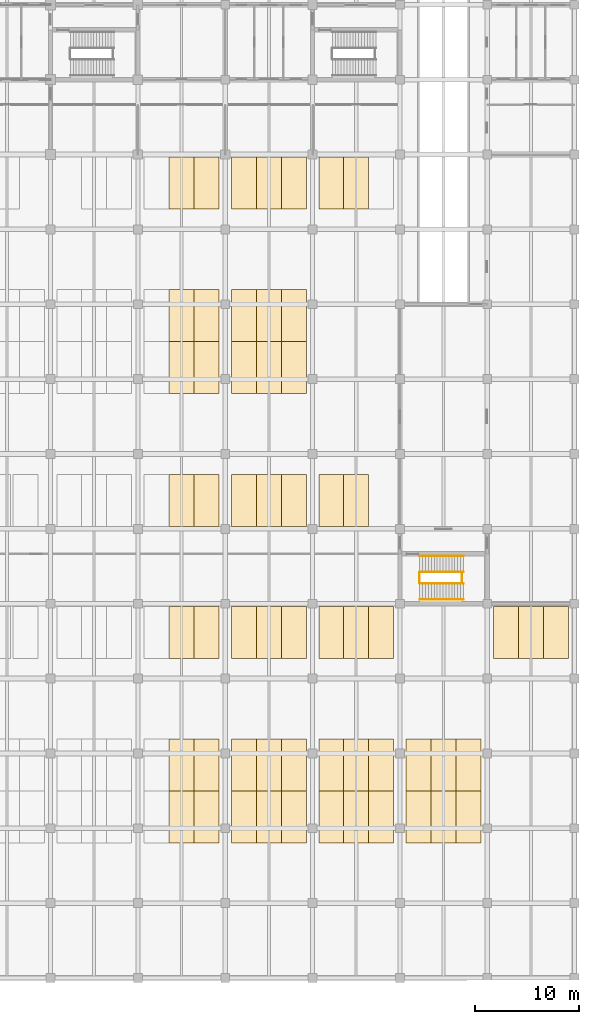
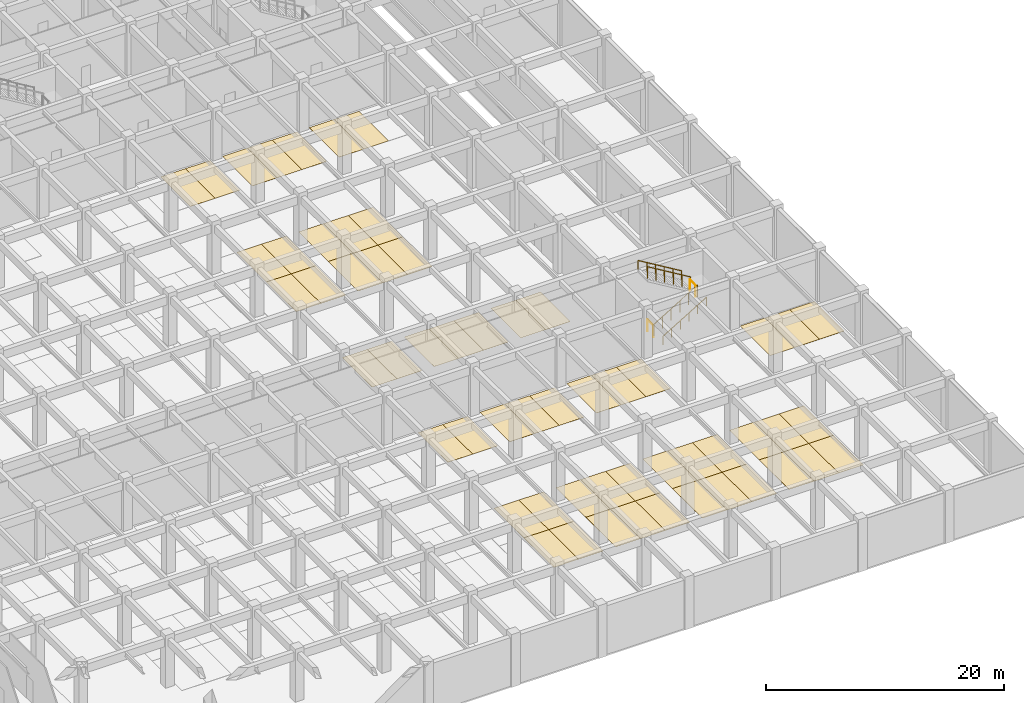
# One storey, part 46 of 48: 57 coverings, 6 railings.
"""IFC4 building model written with IfcOpenShell, lengths in metres."""

import ifcopenshell
import ifcopenshell.guid

model = None  # the IFC model being written
_history = None  # IfcOwnerHistory: only IFC2X3 demands one
_inside = {}  # id of a spatial element -> (the spatial element, [elements in it])
_under = {}  # id of a project, library or spatial element -> (it, [spatial elements below it])
_declared = {}  # id of a project -> (the project, [libraries it declares])
_typed = {}  # id of a type object -> (the type object, [elements of that type])
_made_of = {}  # id of a material, layer set ... -> (it, [elements and type objects made of it])


def new_model(schema):
    """Start an empty IFC model of exactly this schema.

    Asked for "IFC4X3", IfcOpenShell would pick the latest addendum, in which some entities
    have other attributes; the version numbers below select the first issue.
    IFC2X3 requires an IfcOwnerHistory on every rooted entity: one is made here for all.
    """
    global model, _history
    if schema == "IFC4X3":
        model = ifcopenshell.file(schema_version=(4, 3, 0, 0))
    else:
        model = ifcopenshell.file(schema=schema)
    _inside.clear()
    _under.clear()
    _declared.clear()
    _typed.clear()
    _made_of.clear()
    _history = None
    if model.schema == "IFC2X3":
        org = make("IfcOrganization", Name="unknown")
        user = make(
            "IfcPersonAndOrganization",
            ThePerson=make("IfcPerson", FamilyName="unknown"),
            TheOrganization=org,
        )
        app = make(
            "IfcApplication",
            ApplicationDeveloper=org,
            Version="unknown",
            ApplicationFullName="unknown",
            ApplicationIdentifier="unknown",
        )
        _history = make(
            "IfcOwnerHistory",
            OwningUser=user,
            OwningApplication=app,
            ChangeAction="ADDED",
            CreationDate=0,
        )
    return model


def make(cls, **values):
    """One entity of the class cls with the attributes given. An attribute that is None is left unset."""
    return model.create_entity(
        cls, **{name: value for name, value in values.items() if value is not None}
    )


def rooted(cls, **values):
    """An entity with a GlobalId (a new one), such as an element, a storey or a relation."""
    return make(cls, GlobalId=ifcopenshell.guid.new(), OwnerHistory=_history, **values)


def si_unit(unit_type, name, prefix=None):
    """IfcSIUnit, for example si_unit("LENGTHUNIT", "METRE", prefix="MILLI")."""
    return make("IfcSIUnit", UnitType=unit_type, Prefix=prefix, Name=name)


def assignment(units):
    """IfcUnitAssignment: the units of a project."""
    return None if units is None else make("IfcUnitAssignment", Units=units)


def point(xyz):
    """IfcCartesianPoint."""
    return None if xyz is None else make("IfcCartesianPoint", Coordinates=xyz)


def direction(xyz):
    """IfcDirection."""
    return None if xyz is None else make("IfcDirection", DirectionRatios=xyz)


def frame(location, z_axis=None, x_axis=None):
    """IfcAxis2Placement3D, a coordinate frame: its origin and axes. An axis left out is left unset."""
    return make(
        "IfcAxis2Placement3D",
        Location=point(location),
        Axis=direction(z_axis),
        RefDirection=direction(x_axis),
    )


def frame_2d(location, x_axis=None):
    """IfcAxis2Placement2D, a coordinate frame in the plane: its origin and x axis."""
    return make(
        "IfcAxis2Placement2D", Location=point(location), RefDirection=direction(x_axis)
    )


def origin():
    """The frame at (0, 0, 0) with its axes left unset."""
    return frame((0.0, 0.0, 0.0))


def origin_2d():
    """The frame at (0, 0) in the plane with its x axis left unset."""
    return frame_2d((0.0, 0.0))


def place(relative_to, where):
    """IfcLocalPlacement: puts the frame where relative to a parent placement (None: the world)."""
    return make(
        "IfcLocalPlacement", PlacementRelTo=relative_to, RelativePlacement=where
    )


def context(
    kind, dimensions, precision=None, world=None, true_north=None, identifier=None
):
    """IfcGeometricRepresentationContext, for example the 3D "Model" context."""
    return make(
        "IfcGeometricRepresentationContext",
        ContextIdentifier=identifier,
        ContextType=kind,
        CoordinateSpaceDimension=dimensions,
        Precision=precision,
        WorldCoordinateSystem=world,
        TrueNorth=true_north,
    )


def subcontext(parent, identifier, kind, view, scale=None):
    """IfcGeometricRepresentationSubContext, for example "Body" below "Model"."""
    return make(
        "IfcGeometricRepresentationSubContext",
        ContextIdentifier=identifier,
        ContextType=kind,
        ParentContext=parent,
        TargetScale=scale,
        TargetView=view,
    )


def project(units=None, contexts=None):
    """IfcProject with its units and contexts."""
    return rooted(
        "IfcProject",
        Name="project",
        RepresentationContexts=contexts,
        UnitsInContext=assignment(units),
    )


def spatial(cls, under=None, at=None, **own):
    """A site, building, storey or space (cls), placed at a placement, below another one or the project."""
    s = rooted(cls, ObjectPlacement=at, **own)
    if under is not None:
        _under.setdefault(under.id(), (under, []))[1].append(s)
    return s


def polyline(points):
    """IfcPolyline through the points."""
    return make("IfcPolyline", Points=[point(p) for p in points])


def profile(cls, at=None, kind="AREA", **sizes):
    """A parametric profile (cls). Its sizes go by their IFC names, for example OverallWidth=200.0."""
    return make(cls, ProfileType=kind, Position=at, **sizes)


def circle(**sizes):
    """IfcCircleProfileDef."""
    return profile("IfcCircleProfileDef", **sizes)


def outline(outer, holes=None, kind="AREA"):
    """IfcArbitraryClosedProfileDef: a profile drawn as a closed curve; with holes, ...WithVoids."""
    if holes is None:
        return make("IfcArbitraryClosedProfileDef", ProfileType=kind, OuterCurve=outer)
    return make(
        "IfcArbitraryProfileDefWithVoids",
        ProfileType=kind,
        OuterCurve=outer,
        InnerCurves=holes,
    )


def extrude(swept, where, along, depth):
    """IfcExtrudedAreaSolid: the profile swept, set in the frame where, extruded along a direction by depth."""
    return make(
        "IfcExtrudedAreaSolid",
        SweptArea=swept,
        Position=where,
        ExtrudedDirection=direction(along),
        Depth=depth,
    )


def shape(context_of_items, identifier, shape_type, items):
    """IfcShapeRepresentation: the items that make up one representation, for example the "Body"."""
    return make(
        "IfcShapeRepresentation",
        ContextOfItems=context_of_items,
        RepresentationIdentifier=identifier,
        RepresentationType=shape_type,
        Items=items,
    )


def material(Name=None, Category=None):
    """IfcMaterial."""
    return make("IfcMaterial", Name=Name, Category=Category)


def layer(
    of_material, thickness, ventilated=None, Name=None, Category=None, Priority=None
):
    """IfcMaterialLayer: one layer of a wall or slab, of a material (None: an air gap)."""
    return make(
        "IfcMaterialLayer",
        Material=of_material,
        LayerThickness=thickness,
        IsVentilated=ventilated,
        Name=Name,
        Category=Category,
        Priority=Priority,
    )


def layer_set(layers, Name=None):
    """IfcMaterialLayerSet."""
    return make("IfcMaterialLayerSet", MaterialLayers=layers, LayerSetName=Name)


def made_of(thing, what):
    """Note that an element or type object is made of a material, layer set ...; save() writes the relation."""
    if what is not None:
        _made_of.setdefault(what.id(), (what, []))[1].append(thing)
    return thing


def type_object(cls, material=None, **own):
    """A type object (cls), such as IfcWallType, which elements share."""
    return made_of(rooted(cls, **own), material)


def element(
    cls,
    number,
    at=None,
    inside=None,
    cuts=None,
    type_object=None,
    material=None,
    context=None,
    identifier="Body",
    shape_type=None,
    held_by="IfcProductDefinitionShape",
    body=None,
    shapes=None,
    **own,
):
    """One element of the class cls, such as IfcWall. Its Tag is "e" and its number.

    at: its placement. inside: the storey or other place that contains it. cuts: it is an
    opening in that element (IfcRelVoidsElement). A single representation is given by context,
    identifier, shape_type and body (its items); several are given by shapes. held_by: the class
    of the entity that holds the representations. save() writes the other relations.
    """
    e = rooted(cls, Tag="e%d" % number, ObjectPlacement=at, **own)
    if body is not None:
        shapes = [shape(context, identifier, shape_type, body)]
    if shapes is not None:
        e.Representation = make(held_by, Representations=shapes)
    if inside is not None:
        _inside.setdefault(inside.id(), (inside, []))[1].append(e)
    if cuts is not None:
        rooted(
            "IfcRelVoidsElement", RelatingBuildingElement=cuts, RelatedOpeningElement=e
        )
    if type_object is not None:
        _typed.setdefault(type_object.id(), (type_object, []))[1].append(e)
    return made_of(e, material)


def aggregate(whole, parts):
    """IfcRelAggregates: a whole, such as a stair, and the parts it consists of."""
    return rooted("IfcRelAggregates", RelatingObject=whole, RelatedObjects=parts)


def save(model, path):
    """Write the relations noted so far, then the file.

    IfcRelAggregates (storeys below a building ...), IfcRelContainedInSpatialStructure (elements
    in a storey), IfcRelDefinesByType, IfcRelAssociatesMaterial and IfcRelDeclares: one each for
    every whole, place, type object, material and project.
    """
    for whole, parts in _under.values():
        aggregate(whole, parts)
    for where, things in _inside.values():
        rooted(
            "IfcRelContainedInSpatialStructure",
            RelatedElements=things,
            RelatingStructure=where,
        )
    for kind, things in _typed.values():
        rooted("IfcRelDefinesByType", RelatedObjects=things, RelatingType=kind)
    for what, things in _made_of.values():
        rooted("IfcRelAssociatesMaterial", RelatedObjects=things, RelatingMaterial=what)
    for by, libraries in _declared.values():
        rooted("IfcRelDeclares", RelatingContext=by, RelatedDefinitions=libraries)
    model.write(path)


model = new_model("IFC4")

# Units and contexts
model_context = context("Model", 3, precision=1e-05, world=origin(), true_north=direction((0.0, 1.0)))
body_context = subcontext(model_context, "Body", "Model", "MODEL_VIEW")
ifc_project = project(units=[si_unit("LENGTHUNIT", "METRE"), si_unit("AREAUNIT", "SQUARE_METRE"), si_unit("VOLUMEUNIT", "CUBIC_METRE"), si_unit("PLANEANGLEUNIT", "RADIAN"), si_unit("MASSUNIT", "GRAM", prefix="KILO")], contexts=[model_context])

# Site, building, storey
site_placement = place(None, origin())
site = spatial("IfcSite", under=ifc_project, at=site_placement, CompositionType="ELEMENT")
building_placement = place(site_placement, origin())
building = spatial("IfcBuilding", under=site, at=building_placement, Name="Chengyuan Square Courthouse", CompositionType="ELEMENT")
storey_placement = place(building_placement, frame((0.0, 0.0, -5.39990234375)))
storey = spatial("IfcBuildingStorey", under=building, at=storey_placement, Name="B01", CompositionType="ELEMENT", Elevation=-5.39990234375)

# Coverings
ifc_material_1 = material(Name="Thermoplastic Parking Bay Marking Paint")
ifc_layer = layer(ifc_material_1, 0.010009765625)
ifc_layer_set = layer_set([ifc_layer], Name="Thermoplastic Parking Bay Marking Paint")
covering_type = type_object("IfcCoveringType", Name="PKB-01", PredefinedType="FLOORING", material=ifc_layer_set)
covering_1_placement = place(storey_placement, origin())
element("IfcCovering", 1, at=covering_1_placement, inside=storey, type_object=covering_type, Name="Parking Bay Marking B01-P071", PredefinedType="FLOORING", context=body_context, shape_type="SweptSolid", body=[
    extrude(outline(polyline([(129.0, 30.75), (131.39990234375, 30.75), (131.39990234375, 35.75), (129.0, 35.75), (129.0, 30.75)])), origin(), (0.0, 0.0, 1.0), 0.010009765625),
])
covering_2_placement = place(storey_placement, origin())
element("IfcCovering", 2, at=covering_2_placement, inside=storey, type_object=covering_type, Name="Parking Bay Marking B01-P072", PredefinedType="FLOORING", context=body_context, shape_type="SweptSolid", body=[
    extrude(outline(polyline([(131.39990234375, 30.75), (133.800048828125, 30.75), (133.800048828125, 35.75), (131.39990234375, 35.75), (131.39990234375, 30.75)])), origin(), (0.0, 0.0, 1.0), 0.010009765625),
])
covering_3_placement = place(storey_placement, origin())
element("IfcCovering", 3, at=covering_3_placement, inside=storey, type_object=covering_type, Name="Parking Bay Marking B01-P073", PredefinedType="FLOORING", context=body_context, shape_type="SweptSolid", body=[
    extrude(outline(polyline([(135.0, 30.75), (137.39990234375, 30.75), (137.39990234375, 35.75), (135.0, 35.75), (135.0, 30.75)])), origin(), (0.0, 0.0, 1.0), 0.010009765625),
])
covering_4_placement = place(storey_placement, origin())
element("IfcCovering", 4, at=covering_4_placement, inside=storey, type_object=covering_type, Name="Parking Bay Marking B01-P074", PredefinedType="FLOORING", context=body_context, shape_type="SweptSolid", body=[
    extrude(outline(polyline([(137.39990234375, 30.75), (139.800048828125, 30.75), (139.800048828125, 35.75), (137.39990234375, 35.75), (137.39990234375, 30.75)])), origin(), (0.0, 0.0, 1.0), 0.010009765625),
])
covering_5_placement = place(storey_placement, origin())
element("IfcCovering", 5, at=covering_5_placement, inside=storey, type_object=covering_type, Name="Parking Bay Marking B01-P075", PredefinedType="FLOORING", context=body_context, shape_type="SweptSolid", body=[
    extrude(outline(polyline([(139.800048828125, 30.75), (142.199951171875, 30.75), (142.199951171875, 35.75), (139.800048828125, 35.75), (139.800048828125, 30.75)])), origin(), (0.0, 0.0, 1.0), 0.010009765625),
])
covering_6_placement = place(storey_placement, origin())
element("IfcCovering", 6, at=covering_6_placement, inside=storey, type_object=covering_type, Name="Parking Bay Marking B01-P076", PredefinedType="FLOORING", context=body_context, shape_type="SweptSolid", body=[
    extrude(outline(polyline([(143.39990234375, 30.75), (145.800048828125, 30.75), (145.800048828125, 35.75), (143.39990234375, 35.75), (143.39990234375, 30.75)])), origin(), (0.0, 0.0, 1.0), 0.010009765625),
])
covering_7_placement = place(storey_placement, origin())
element("IfcCovering", 7, at=covering_7_placement, inside=storey, type_object=covering_type, Name="Parking Bay Marking B01-P077", PredefinedType="FLOORING", context=body_context, shape_type="SweptSolid", body=[
    extrude(outline(polyline([(145.800048828125, 30.75), (148.199951171875, 30.75), (148.199951171875, 35.75), (145.800048828125, 35.75), (145.800048828125, 30.75)])), origin(), (0.0, 0.0, 1.0), 0.010009765625),
])
covering_8_placement = place(storey_placement, origin())
element("IfcCovering", 8, at=covering_8_placement, inside=storey, type_object=covering_type, Name="Parking Bay Marking B01-P078", PredefinedType="FLOORING", context=body_context, shape_type="SweptSolid", body=[
    extrude(outline(polyline([(148.199951171875, 30.75), (150.60009765625, 30.75), (150.60009765625, 35.75), (148.199951171875, 35.75), (148.199951171875, 30.75)])), origin(), (0.0, 0.0, 1.0), 0.010009765625),
])
covering_9_placement = place(storey_placement, origin())
element("IfcCovering", 9, at=covering_9_placement, inside=storey, type_object=covering_type, Name="Parking Bay Marking B01-P079", PredefinedType="FLOORING", context=body_context, shape_type="SweptSolid", body=[
    extrude(outline(polyline([(160.199951171875, 30.75), (162.60009765625, 30.75), (162.60009765625, 35.75), (160.199951171875, 35.75), (160.199951171875, 30.75)])), origin(), (0.0, 0.0, 1.0), 0.010009765625),
])
covering_10_placement = place(storey_placement, origin())
element("IfcCovering", 10, at=covering_10_placement, inside=storey, type_object=covering_type, Name="Parking Bay Marking B01-P080", PredefinedType="FLOORING", context=body_context, shape_type="SweptSolid", body=[
    extrude(outline(polyline([(162.60009765625, 30.75), (165.0, 30.75), (165.0, 35.75), (162.60009765625, 35.75), (162.60009765625, 30.75)])), origin(), (0.0, 0.0, 1.0), 0.010009765625),
])
covering_11_placement = place(storey_placement, origin())
element("IfcCovering", 11, at=covering_11_placement, inside=storey, type_object=covering_type, Name="Parking Bay Marking B01-P081", PredefinedType="FLOORING", context=body_context, shape_type="SweptSolid", body=[
    extrude(outline(polyline([(165.0, 30.75), (167.39990234375, 30.75), (167.39990234375, 35.75), (165.0, 35.75), (165.0, 30.75)])), origin(), (0.0, 0.0, 1.0), 0.010009765625),
])
covering_12_placement = place(storey_placement, origin())
element("IfcCovering", 12, at=covering_12_placement, inside=storey, type_object=covering_type, Name="Parking Bay Marking B01-P095", PredefinedType="FLOORING", context=body_context, shape_type="SweptSolid", body=[
    extrude(outline(polyline([(129.0, 18.0), (131.39990234375, 18.0), (131.39990234375, 23.0), (129.0, 23.0), (129.0, 18.0)])), origin(), (0.0, 0.0, 1.0), 0.010009765625),
])
covering_13_placement = place(storey_placement, origin())
element("IfcCovering", 13, at=covering_13_placement, inside=storey, type_object=covering_type, Name="Parking Bay Marking B01-P096", PredefinedType="FLOORING", context=body_context, shape_type="SweptSolid", body=[
    extrude(outline(polyline([(131.39990234375, 18.0), (133.800048828125, 18.0), (133.800048828125, 23.0), (131.39990234375, 23.0), (131.39990234375, 18.0)])), origin(), (0.0, 0.0, 1.0), 0.010009765625),
])
covering_14_placement = place(storey_placement, origin())
element("IfcCovering", 14, at=covering_14_placement, inside=storey, type_object=covering_type, Name="Parking Bay Marking B01-P097", PredefinedType="FLOORING", context=body_context, shape_type="SweptSolid", body=[
    extrude(outline(polyline([(135.0, 18.0), (137.39990234375, 18.0), (137.39990234375, 23.0), (135.0, 23.0), (135.0, 18.0)])), origin(), (0.0, 0.0, 1.0), 0.010009765625),
])
covering_15_placement = place(storey_placement, origin())
element("IfcCovering", 15, at=covering_15_placement, inside=storey, type_object=covering_type, Name="Parking Bay Marking B01-P098", PredefinedType="FLOORING", context=body_context, shape_type="SweptSolid", body=[
    extrude(outline(polyline([(137.39990234375, 18.0), (139.800048828125, 18.0), (139.800048828125, 23.0), (137.39990234375, 23.0), (137.39990234375, 18.0)])), origin(), (0.0, 0.0, 1.0), 0.010009765625),
])
covering_16_placement = place(storey_placement, origin())
element("IfcCovering", 16, at=covering_16_placement, inside=storey, type_object=covering_type, Name="Parking Bay Marking B01-P099", PredefinedType="FLOORING", context=body_context, shape_type="SweptSolid", body=[
    extrude(outline(polyline([(139.800048828125, 18.0), (142.199951171875, 18.0), (142.199951171875, 23.0), (139.800048828125, 23.0), (139.800048828125, 18.0)])), origin(), (0.0, 0.0, 1.0), 0.010009765625),
])
covering_17_placement = place(storey_placement, origin())
element("IfcCovering", 17, at=covering_17_placement, inside=storey, type_object=covering_type, Name="Parking Bay Marking B01-P100", PredefinedType="FLOORING", context=body_context, shape_type="SweptSolid", body=[
    extrude(outline(polyline([(143.39990234375, 18.0), (145.800048828125, 18.0), (145.800048828125, 23.0), (143.39990234375, 23.0), (143.39990234375, 18.0)])), origin(), (0.0, 0.0, 1.0), 0.010009765625),
])
covering_18_placement = place(storey_placement, origin())
element("IfcCovering", 18, at=covering_18_placement, inside=storey, type_object=covering_type, Name="Parking Bay Marking B01-P101", PredefinedType="FLOORING", context=body_context, shape_type="SweptSolid", body=[
    extrude(outline(polyline([(145.800048828125, 18.0), (148.199951171875, 18.0), (148.199951171875, 23.0), (145.800048828125, 23.0), (145.800048828125, 18.0)])), origin(), (0.0, 0.0, 1.0), 0.010009765625),
])
covering_19_placement = place(storey_placement, origin())
element("IfcCovering", 19, at=covering_19_placement, inside=storey, type_object=covering_type, Name="Parking Bay Marking B01-P102", PredefinedType="FLOORING", context=body_context, shape_type="SweptSolid", body=[
    extrude(outline(polyline([(148.199951171875, 18.0), (150.60009765625, 18.0), (150.60009765625, 23.0), (148.199951171875, 23.0), (148.199951171875, 18.0)])), origin(), (0.0, 0.0, 1.0), 0.010009765625),
])
covering_20_placement = place(storey_placement, origin())
element("IfcCovering", 20, at=covering_20_placement, inside=storey, type_object=covering_type, Name="Parking Bay Marking B01-P103", PredefinedType="FLOORING", context=body_context, shape_type="SweptSolid", body=[
    extrude(outline(polyline([(151.800048828125, 18.0), (154.199951171875, 18.0), (154.199951171875, 23.0), (151.800048828125, 23.0), (151.800048828125, 18.0)])), origin(), (0.0, 0.0, 1.0), 0.010009765625),
])
covering_21_placement = place(storey_placement, origin())
element("IfcCovering", 21, at=covering_21_placement, inside=storey, type_object=covering_type, Name="Parking Bay Marking B01-P104", PredefinedType="FLOORING", context=body_context, shape_type="SweptSolid", body=[
    extrude(outline(polyline([(154.199951171875, 18.0), (156.60009765625, 18.0), (156.60009765625, 23.0), (154.199951171875, 23.0), (154.199951171875, 18.0)])), origin(), (0.0, 0.0, 1.0), 0.010009765625),
])
covering_22_placement = place(storey_placement, origin())
element("IfcCovering", 22, at=covering_22_placement, inside=storey, type_object=covering_type, Name="Parking Bay Marking B01-P105", PredefinedType="FLOORING", context=body_context, shape_type="SweptSolid", body=[
    extrude(outline(polyline([(156.60009765625, 18.0), (159.0, 18.0), (159.0, 23.0), (156.60009765625, 23.0), (156.60009765625, 18.0)])), origin(), (0.0, 0.0, 1.0), 0.010009765625),
])
covering_23_placement = place(storey_placement, origin())
element("IfcCovering", 23, at=covering_23_placement, inside=storey, type_object=covering_type, Name="Parking Bay Marking B01-P119", PredefinedType="FLOORING", context=body_context, shape_type="SweptSolid", body=[
    extrude(outline(polyline([(129.0, 13.0), (131.39990234375, 13.0), (131.39990234375, 18.0), (129.0, 18.0), (129.0, 13.0)])), origin(), (0.0, 0.0, 1.0), 0.010009765625),
])
covering_24_placement = place(storey_placement, origin())
element("IfcCovering", 24, at=covering_24_placement, inside=storey, type_object=covering_type, Name="Parking Bay Marking B01-P120", PredefinedType="FLOORING", context=body_context, shape_type="SweptSolid", body=[
    extrude(outline(polyline([(131.39990234375, 13.0), (133.800048828125, 13.0), (133.800048828125, 18.0), (131.39990234375, 18.0), (131.39990234375, 13.0)])), origin(), (0.0, 0.0, 1.0), 0.010009765625),
])
covering_25_placement = place(storey_placement, origin())
element("IfcCovering", 25, at=covering_25_placement, inside=storey, type_object=covering_type, Name="Parking Bay Marking B01-P121", PredefinedType="FLOORING", context=body_context, shape_type="SweptSolid", body=[
    extrude(outline(polyline([(135.0, 13.0), (137.39990234375, 13.0), (137.39990234375, 18.0), (135.0, 18.0), (135.0, 13.0)])), origin(), (0.0, 0.0, 1.0), 0.010009765625),
])
covering_26_placement = place(storey_placement, origin())
element("IfcCovering", 26, at=covering_26_placement, inside=storey, type_object=covering_type, Name="Parking Bay Marking B01-P122", PredefinedType="FLOORING", context=body_context, shape_type="SweptSolid", body=[
    extrude(outline(polyline([(137.39990234375, 13.0), (139.800048828125, 13.0), (139.800048828125, 18.0), (137.39990234375, 18.0), (137.39990234375, 13.0)])), origin(), (0.0, 0.0, 1.0), 0.010009765625),
])
covering_27_placement = place(storey_placement, origin())
element("IfcCovering", 27, at=covering_27_placement, inside=storey, type_object=covering_type, Name="Parking Bay Marking B01-P123", PredefinedType="FLOORING", context=body_context, shape_type="SweptSolid", body=[
    extrude(outline(polyline([(139.800048828125, 13.0), (142.199951171875, 13.0), (142.199951171875, 18.0), (139.800048828125, 18.0), (139.800048828125, 13.0)])), origin(), (0.0, 0.0, 1.0), 0.010009765625),
])
covering_28_placement = place(storey_placement, origin())
element("IfcCovering", 28, at=covering_28_placement, inside=storey, type_object=covering_type, Name="Parking Bay Marking B01-P124", PredefinedType="FLOORING", context=body_context, shape_type="SweptSolid", body=[
    extrude(outline(polyline([(143.39990234375, 13.0), (145.800048828125, 13.0), (145.800048828125, 18.0), (143.39990234375, 18.0), (143.39990234375, 13.0)])), origin(), (0.0, 0.0, 1.0), 0.010009765625),
])
covering_29_placement = place(storey_placement, origin())
element("IfcCovering", 29, at=covering_29_placement, inside=storey, type_object=covering_type, Name="Parking Bay Marking B01-P125", PredefinedType="FLOORING", context=body_context, shape_type="SweptSolid", body=[
    extrude(outline(polyline([(145.800048828125, 13.0), (148.199951171875, 13.0), (148.199951171875, 18.0), (145.800048828125, 18.0), (145.800048828125, 13.0)])), origin(), (0.0, 0.0, 1.0), 0.010009765625),
])
covering_30_placement = place(storey_placement, origin())
element("IfcCovering", 30, at=covering_30_placement, inside=storey, type_object=covering_type, Name="Parking Bay Marking B01-P126", PredefinedType="FLOORING", context=body_context, shape_type="SweptSolid", body=[
    extrude(outline(polyline([(148.199951171875, 13.0), (150.60009765625, 13.0), (150.60009765625, 18.0), (148.199951171875, 18.0), (148.199951171875, 13.0)])), origin(), (0.0, 0.0, 1.0), 0.010009765625),
])
covering_31_placement = place(storey_placement, origin())
element("IfcCovering", 31, at=covering_31_placement, inside=storey, type_object=covering_type, Name="Parking Bay Marking B01-P127", PredefinedType="FLOORING", context=body_context, shape_type="SweptSolid", body=[
    extrude(outline(polyline([(151.800048828125, 13.0), (154.199951171875, 13.0), (154.199951171875, 18.0), (151.800048828125, 18.0), (151.800048828125, 13.0)])), origin(), (0.0, 0.0, 1.0), 0.010009765625),
])
covering_32_placement = place(storey_placement, origin())
element("IfcCovering", 32, at=covering_32_placement, inside=storey, type_object=covering_type, Name="Parking Bay Marking B01-P128", PredefinedType="FLOORING", context=body_context, shape_type="SweptSolid", body=[
    extrude(outline(polyline([(154.199951171875, 13.0), (156.60009765625, 13.0), (156.60009765625, 18.0), (154.199951171875, 18.0), (154.199951171875, 13.0)])), origin(), (0.0, 0.0, 1.0), 0.010009765625),
])
covering_33_placement = place(storey_placement, origin())
element("IfcCovering", 33, at=covering_33_placement, inside=storey, type_object=covering_type, Name="Parking Bay Marking B01-P129", PredefinedType="FLOORING", context=body_context, shape_type="SweptSolid", body=[
    extrude(outline(polyline([(156.60009765625, 13.0), (159.0, 13.0), (159.0, 18.0), (156.60009765625, 18.0), (156.60009765625, 13.0)])), origin(), (0.0, 0.0, 1.0), 0.010009765625),
])
covering_34_placement = place(storey_placement, origin())
element("IfcCovering", 34, at=covering_34_placement, inside=storey, type_object=covering_type, Name="Parking Bay Marking B01-P151", PredefinedType="FLOORING", context=body_context, shape_type="SweptSolid", body=[
    extrude(outline(polyline([(129.0, 43.449951171875), (131.39990234375, 43.449951171875), (131.39990234375, 48.449951171875), (129.0, 48.449951171875), (129.0, 43.449951171875)])), origin(), (0.0, 0.0, 1.0), 0.010009765625),
])
covering_35_placement = place(storey_placement, origin())
element("IfcCovering", 35, at=covering_35_placement, inside=storey, type_object=covering_type, Name="Parking Bay Marking B01-P152", PredefinedType="FLOORING", context=body_context, shape_type="SweptSolid", body=[
    extrude(outline(polyline([(131.39990234375, 43.449951171875), (133.800048828125, 43.449951171875), (133.800048828125, 48.449951171875), (131.39990234375, 48.449951171875), (131.39990234375, 43.449951171875)])), origin(), (0.0, 0.0, 1.0), 0.010009765625),
])
covering_36_placement = place(storey_placement, origin())
element("IfcCovering", 36, at=covering_36_placement, inside=storey, type_object=covering_type, Name="Parking Bay Marking B01-P153", PredefinedType="FLOORING", context=body_context, shape_type="SweptSolid", body=[
    extrude(outline(polyline([(135.0, 43.449951171875), (137.39990234375, 43.449951171875), (137.39990234375, 48.449951171875), (135.0, 48.449951171875), (135.0, 43.449951171875)])), origin(), (0.0, 0.0, 1.0), 0.010009765625),
])
covering_37_placement = place(storey_placement, origin())
element("IfcCovering", 37, at=covering_37_placement, inside=storey, type_object=covering_type, Name="Parking Bay Marking B01-P154", PredefinedType="FLOORING", context=body_context, shape_type="SweptSolid", body=[
    extrude(outline(polyline([(137.39990234375, 43.449951171875), (139.800048828125, 43.449951171875), (139.800048828125, 48.449951171875), (137.39990234375, 48.449951171875), (137.39990234375, 43.449951171875)])), origin(), (0.0, 0.0, 1.0), 0.010009765625),
])
covering_38_placement = place(storey_placement, origin())
element("IfcCovering", 38, at=covering_38_placement, inside=storey, type_object=covering_type, Name="Parking Bay Marking B01-P155", PredefinedType="FLOORING", context=body_context, shape_type="SweptSolid", body=[
    extrude(outline(polyline([(139.800048828125, 43.449951171875), (142.199951171875, 43.449951171875), (142.199951171875, 48.449951171875), (139.800048828125, 48.449951171875), (139.800048828125, 43.449951171875)])), origin(), (0.0, 0.0, 1.0), 0.010009765625),
])
covering_39_placement = place(storey_placement, origin())
element("IfcCovering", 39, at=covering_39_placement, inside=storey, type_object=covering_type, Name="Parking Bay Marking B01-P156", PredefinedType="FLOORING", context=body_context, shape_type="SweptSolid", body=[
    extrude(outline(polyline([(143.39990234375, 43.449951171875), (145.800048828125, 43.449951171875), (145.800048828125, 48.449951171875), (143.39990234375, 48.449951171875), (143.39990234375, 43.449951171875)])), origin(), (0.0, 0.0, 1.0), 0.010009765625),
])
covering_40_placement = place(storey_placement, origin())
element("IfcCovering", 40, at=covering_40_placement, inside=storey, type_object=covering_type, Name="Parking Bay Marking B01-P157", PredefinedType="FLOORING", context=body_context, shape_type="SweptSolid", body=[
    extrude(outline(polyline([(145.800048828125, 43.449951171875), (148.199951171875, 43.449951171875), (148.199951171875, 48.449951171875), (145.800048828125, 48.449951171875), (145.800048828125, 43.449951171875)])), origin(), (0.0, 0.0, 1.0), 0.010009765625),
])
covering_41_placement = place(storey_placement, origin())
element("IfcCovering", 41, at=covering_41_placement, inside=storey, type_object=covering_type, Name="Parking Bay Marking B01-P165", PredefinedType="FLOORING", context=body_context, shape_type="SweptSolid", body=[
    extrude(outline(polyline([(129.0, 73.949951171875), (131.39990234375, 73.949951171875), (131.39990234375, 78.949951171875), (129.0, 78.949951171875), (129.0, 73.949951171875)])), origin(), (0.0, 0.0, 1.0), 0.010009765625),
])
covering_42_placement = place(storey_placement, origin())
element("IfcCovering", 42, at=covering_42_placement, inside=storey, type_object=covering_type, Name="Parking Bay Marking B01-P166", PredefinedType="FLOORING", context=body_context, shape_type="SweptSolid", body=[
    extrude(outline(polyline([(131.39990234375, 73.949951171875), (133.800048828125, 73.949951171875), (133.800048828125, 78.949951171875), (131.39990234375, 78.949951171875), (131.39990234375, 73.949951171875)])), origin(), (0.0, 0.0, 1.0), 0.010009765625),
])
covering_43_placement = place(storey_placement, origin())
element("IfcCovering", 43, at=covering_43_placement, inside=storey, type_object=covering_type, Name="Parking Bay Marking B01-P167", PredefinedType="FLOORING", context=body_context, shape_type="SweptSolid", body=[
    extrude(outline(polyline([(135.0, 73.949951171875), (137.39990234375, 73.949951171875), (137.39990234375, 78.949951171875), (135.0, 78.949951171875), (135.0, 73.949951171875)])), origin(), (0.0, 0.0, 1.0), 0.010009765625),
])
covering_44_placement = place(storey_placement, origin())
element("IfcCovering", 44, at=covering_44_placement, inside=storey, type_object=covering_type, Name="Parking Bay Marking B01-P168", PredefinedType="FLOORING", context=body_context, shape_type="SweptSolid", body=[
    extrude(outline(polyline([(137.39990234375, 73.949951171875), (139.800048828125, 73.949951171875), (139.800048828125, 78.949951171875), (137.39990234375, 78.949951171875), (137.39990234375, 73.949951171875)])), origin(), (0.0, 0.0, 1.0), 0.010009765625),
])
covering_45_placement = place(storey_placement, origin())
element("IfcCovering", 45, at=covering_45_placement, inside=storey, type_object=covering_type, Name="Parking Bay Marking B01-P169", PredefinedType="FLOORING", context=body_context, shape_type="SweptSolid", body=[
    extrude(outline(polyline([(139.800048828125, 73.949951171875), (142.199951171875, 73.949951171875), (142.199951171875, 78.949951171875), (139.800048828125, 78.949951171875), (139.800048828125, 73.949951171875)])), origin(), (0.0, 0.0, 1.0), 0.010009765625),
])
covering_46_placement = place(storey_placement, origin())
element("IfcCovering", 46, at=covering_46_placement, inside=storey, type_object=covering_type, Name="Parking Bay Marking B01-P170", PredefinedType="FLOORING", context=body_context, shape_type="SweptSolid", body=[
    extrude(outline(polyline([(143.39990234375, 73.949951171875), (145.800048828125, 73.949951171875), (145.800048828125, 78.949951171875), (143.39990234375, 78.949951171875), (143.39990234375, 73.949951171875)])), origin(), (0.0, 0.0, 1.0), 0.010009765625),
])
covering_47_placement = place(storey_placement, origin())
element("IfcCovering", 47, at=covering_47_placement, inside=storey, type_object=covering_type, Name="Parking Bay Marking B01-P171", PredefinedType="FLOORING", context=body_context, shape_type="SweptSolid", body=[
    extrude(outline(polyline([(145.800048828125, 73.949951171875), (148.199951171875, 73.949951171875), (148.199951171875, 78.949951171875), (145.800048828125, 78.949951171875), (145.800048828125, 73.949951171875)])), origin(), (0.0, 0.0, 1.0), 0.010009765625),
])
covering_48_placement = place(storey_placement, origin())
element("IfcCovering", 48, at=covering_48_placement, inside=storey, type_object=covering_type, Name="Parking Bay Marking B01-P186", PredefinedType="FLOORING", context=body_context, shape_type="SweptSolid", body=[
    extrude(outline(polyline([(129.0, 56.199951171875), (131.39990234375, 56.199951171875), (131.39990234375, 61.199951171875), (129.0, 61.199951171875), (129.0, 56.199951171875)])), origin(), (0.0, 0.0, 1.0), 0.010009765625),
])
covering_49_placement = place(storey_placement, origin())
element("IfcCovering", 49, at=covering_49_placement, inside=storey, type_object=covering_type, Name="Parking Bay Marking B01-P187", PredefinedType="FLOORING", context=body_context, shape_type="SweptSolid", body=[
    extrude(outline(polyline([(131.39990234375, 56.199951171875), (133.800048828125, 56.199951171875), (133.800048828125, 61.199951171875), (131.39990234375, 61.199951171875), (131.39990234375, 56.199951171875)])), origin(), (0.0, 0.0, 1.0), 0.010009765625),
])
covering_50_placement = place(storey_placement, origin())
element("IfcCovering", 50, at=covering_50_placement, inside=storey, type_object=covering_type, Name="Parking Bay Marking B01-P188", PredefinedType="FLOORING", context=body_context, shape_type="SweptSolid", body=[
    extrude(outline(polyline([(135.0, 56.199951171875), (137.39990234375, 56.199951171875), (137.39990234375, 61.199951171875), (135.0, 61.199951171875), (135.0, 56.199951171875)])), origin(), (0.0, 0.0, 1.0), 0.010009765625),
])
covering_51_placement = place(storey_placement, origin())
element("IfcCovering", 51, at=covering_51_placement, inside=storey, type_object=covering_type, Name="Parking Bay Marking B01-P189", PredefinedType="FLOORING", context=body_context, shape_type="SweptSolid", body=[
    extrude(outline(polyline([(137.39990234375, 56.199951171875), (139.800048828125, 56.199951171875), (139.800048828125, 61.199951171875), (137.39990234375, 61.199951171875), (137.39990234375, 56.199951171875)])), origin(), (0.0, 0.0, 1.0), 0.010009765625),
])
covering_52_placement = place(storey_placement, origin())
element("IfcCovering", 52, at=covering_52_placement, inside=storey, type_object=covering_type, Name="Parking Bay Marking B01-P190", PredefinedType="FLOORING", context=body_context, shape_type="SweptSolid", body=[
    extrude(outline(polyline([(139.800048828125, 56.199951171875), (142.199951171875, 56.199951171875), (142.199951171875, 61.199951171875), (139.800048828125, 61.199951171875), (139.800048828125, 56.199951171875)])), origin(), (0.0, 0.0, 1.0), 0.010009765625),
])
covering_53_placement = place(storey_placement, origin())
element("IfcCovering", 53, at=covering_53_placement, inside=storey, type_object=covering_type, Name="Parking Bay Marking B01-P204", PredefinedType="FLOORING", context=body_context, shape_type="SweptSolid", body=[
    extrude(outline(polyline([(129.0, 61.199951171875), (131.39990234375, 61.199951171875), (131.39990234375, 66.199951171875), (129.0, 66.199951171875), (129.0, 61.199951171875)])), origin(), (0.0, 0.0, 1.0), 0.010009765625),
])
covering_54_placement = place(storey_placement, origin())
element("IfcCovering", 54, at=covering_54_placement, inside=storey, type_object=covering_type, Name="Parking Bay Marking B01-P205", PredefinedType="FLOORING", context=body_context, shape_type="SweptSolid", body=[
    extrude(outline(polyline([(131.39990234375, 61.199951171875), (133.800048828125, 61.199951171875), (133.800048828125, 66.199951171875), (131.39990234375, 66.199951171875), (131.39990234375, 61.199951171875)])), origin(), (0.0, 0.0, 1.0), 0.010009765625),
])
covering_55_placement = place(storey_placement, origin())
element("IfcCovering", 55, at=covering_55_placement, inside=storey, type_object=covering_type, Name="Parking Bay Marking B01-P206", PredefinedType="FLOORING", context=body_context, shape_type="SweptSolid", body=[
    extrude(outline(polyline([(135.0, 61.199951171875), (137.39990234375, 61.199951171875), (137.39990234375, 66.199951171875), (135.0, 66.199951171875), (135.0, 61.199951171875)])), origin(), (0.0, 0.0, 1.0), 0.010009765625),
])
covering_56_placement = place(storey_placement, origin())
element("IfcCovering", 56, at=covering_56_placement, inside=storey, type_object=covering_type, Name="Parking Bay Marking B01-P207", PredefinedType="FLOORING", context=body_context, shape_type="SweptSolid", body=[
    extrude(outline(polyline([(137.39990234375, 61.199951171875), (139.800048828125, 61.199951171875), (139.800048828125, 66.199951171875), (137.39990234375, 66.199951171875), (137.39990234375, 61.199951171875)])), origin(), (0.0, 0.0, 1.0), 0.010009765625),
])
covering_57_placement = place(storey_placement, origin())
element("IfcCovering", 57, at=covering_57_placement, inside=storey, type_object=covering_type, Name="Parking Bay Marking B01-P208", PredefinedType="FLOORING", context=body_context, shape_type="SweptSolid", body=[
    extrude(outline(polyline([(139.800048828125, 61.199951171875), (142.199951171875, 61.199951171875), (142.199951171875, 66.199951171875), (139.800048828125, 66.199951171875), (139.800048828125, 61.199951171875)])), origin(), (0.0, 0.0, 1.0), 0.010009765625),
])

# Railings
ifc_material_2 = material(Name="Tempered Glass and Timber Top-Rail Balustrade", Category="wood")
railing_type_1 = type_object("IfcRailingType", Name="RL-02", PredefinedType="BALUSTRADE", material=ifc_material_2)
for number, where, name in (
    (58, (153.090087890625, 38.0, 0.0), "Stair Floor Slot Guard ST-8 B01"),
    (59, (157.18994140625, 38.0, 2.699951171875), "Stair Landing Guard ST-8-B01"),
):
    element("IfcRailing", number, at=place(storey_placement, frame(where)), inside=storey, type_object=railing_type_1, Name=name, PredefinedType="BALUSTRADE", context=body_context, shape_type="SweptSolid", body=[
        extrude(circle(Radius=0.02392578125, at=origin_2d()), frame((0.0, 0.0, 1.17578125), z_axis=(0.0, 1.0, 0.0), x_axis=(-1.0, 0.0, 0.0)), (0.0, 0.0, 1.0), 1.0),
        extrude(circle(Radius=0.02099609375, at=origin_2d()), origin(), (0.0, 0.0, 1.0), 1.15185546875),
        extrude(circle(Radius=0.02099609375, at=origin_2d()), frame((0.0, 1.0, 0.0)), (0.0, 0.0, 1.0), 1.15185546875),
    ])
railing_1_placement = place(storey_placement, frame((153.110107421875, 37.949951171875, 0.168701171875)))
element("IfcRailing", 60, at=railing_1_placement, inside=storey, type_object=railing_type_1, Name="Stair Flight 1 Guard ST-8-B01", PredefinedType="BALUSTRADE", context=body_context, shape_type="SweptSolid", body=[
    extrude(circle(Radius=0.02392578125, at=origin_2d()), frame((0.0, 0.0, 1.17578125), z_axis=(0.856476492594, 0.0, 0.516186030065), x_axis=(0.0, 1.0, 0.0)), (0.0, 0.0, 1.0), 4.90380859375),
    extrude(circle(Radius=0.02099609375, at=origin_2d()), origin(), (0.0, 0.0, 1.0), 1.15185546875),
    extrude(circle(Radius=0.02099609375, at=origin_2d()), frame((0.840087890625, 0.0, 0.50634765625)), (0.0, 0.0, 1.0), 1.15185546875),
    extrude(circle(Radius=0.02099609375, at=origin_2d()), frame((1.679931640625, 0.0, 1.012451171875)), (0.0, 0.0, 1.0), 1.15185546875),
    extrude(circle(Radius=0.02099609375, at=origin_2d()), frame((2.52001953125, 0.0, 1.518798828125)), (0.0, 0.0, 1.0), 1.15185546875),
    extrude(circle(Radius=0.02099609375, at=origin_2d()), frame((3.35986328125, 0.0, 2.02490234375)), (0.0, 0.0, 1.0), 1.15185546875),
    extrude(circle(Radius=0.02099609375, at=origin_2d()), frame((4.199951171875, 0.0, 2.53125)), (0.0, 0.0, 1.0), 1.15185546875),
])
railing_2_placement = place(storey_placement, frame((157.31005859375, 39.050048828125, 2.86865234375)))
element("IfcRailing", 61, at=railing_2_placement, inside=storey, type_object=railing_type_1, Name="Stair Flight 2 Guard ST-8-B01", PredefinedType="BALUSTRADE", context=body_context, shape_type="SweptSolid", body=[
    extrude(circle(Radius=0.02392578125, at=origin_2d()), frame((0.0, 0.0, 1.17578125), z_axis=(-0.856476492594, 0.0, 0.516186030065), x_axis=(0.0, -1.0, 0.0)), (0.0, 0.0, 1.0), 4.90380859375),
    extrude(circle(Radius=0.02099609375, at=origin_2d()), origin(), (0.0, 0.0, 1.0), 1.15185546875),
    extrude(circle(Radius=0.02099609375, at=origin_2d()), frame((-0.840087890625, 0.0, 0.50634765625)), (0.0, 0.0, 1.0), 1.15185546875),
    extrude(circle(Radius=0.02099609375, at=origin_2d()), frame((-1.679931640625, 0.0, 1.012451171875)), (0.0, 0.0, 1.0), 1.15185546875),
    extrude(circle(Radius=0.02099609375, at=origin_2d()), frame((-2.52001953125, 0.0, 1.518798828125)), (0.0, 0.0, 1.0), 1.15185546875),
    extrude(circle(Radius=0.02099609375, at=origin_2d()), frame((-3.35986328125, 0.0, 2.02490234375)), (0.0, 0.0, 1.0), 1.15185546875),
    extrude(circle(Radius=0.02099609375, at=origin_2d()), frame((-4.199951171875, 0.0, 2.53125)), (0.0, 0.0, 1.0), 1.15185546875),
])
ifc_material_3 = material(Name="Stainless Steel S30408 Stair Handrail", Category="steel")
railing_type_2 = type_object("IfcRailingType", Name="RL-04", PredefinedType="HANDRAIL", material=ifc_material_3)
railing_3_placement = place(storey_placement, frame((153.110107421875, 36.419921875, 0.168701171875)))
element("IfcRailing", 62, at=railing_3_placement, inside=storey, type_object=railing_type_2, Name="Stair Flight 1 Handrail ST-8-B01", PredefinedType="HANDRAIL", context=body_context, shape_type="SweptSolid", body=[
    extrude(circle(Radius=0.02392578125, at=origin_2d()), frame((0.0, 0.0, 0.8759765625), z_axis=(0.856476492594, 0.0, 0.516186030065), x_axis=(0.0, 1.0, 0.0)), (0.0, 0.0, 1.0), 4.90380859375),
    extrude(circle(Radius=0.02099609375, at=origin_2d()), origin(), (0.0, 0.0, 1.0), 0.851806640625),
    extrude(circle(Radius=0.02099609375, at=origin_2d()), frame((0.840087890625, 0.0, 0.50634765625)), (0.0, 0.0, 1.0), 0.851806640625),
    extrude(circle(Radius=0.02099609375, at=origin_2d()), frame((1.679931640625, 0.0, 1.012451171875)), (0.0, 0.0, 1.0), 0.851806640625),
    extrude(circle(Radius=0.02099609375, at=origin_2d()), frame((2.52001953125, 0.0, 1.518798828125)), (0.0, 0.0, 1.0), 0.851806640625),
    extrude(circle(Radius=0.02099609375, at=origin_2d()), frame((3.35986328125, 0.0, 2.02490234375)), (0.0, 0.0, 1.0), 0.851806640625),
    extrude(circle(Radius=0.02099609375, at=origin_2d()), frame((4.199951171875, 0.0, 2.53125)), (0.0, 0.0, 1.0), 0.851806640625),
])
railing_4_placement = place(storey_placement, frame((157.31005859375, 40.580078125, 2.86865234375)))
element("IfcRailing", 63, at=railing_4_placement, inside=storey, type_object=railing_type_2, Name="Stair Flight 2 Handrail ST-8-B01", PredefinedType="HANDRAIL", context=body_context, shape_type="SweptSolid", body=[
    extrude(circle(Radius=0.02392578125, at=origin_2d()), frame((0.0, 0.0, 0.8759765625), z_axis=(-0.856476492594, 0.0, 0.516186030065), x_axis=(0.0, -1.0, 0.0)), (0.0, 0.0, 1.0), 4.90380859375),
    extrude(circle(Radius=0.02099609375, at=origin_2d()), origin(), (0.0, 0.0, 1.0), 0.851806640625),
    extrude(circle(Radius=0.02099609375, at=origin_2d()), frame((-0.840087890625, 0.0, 0.50634765625)), (0.0, 0.0, 1.0), 0.851806640625),
    extrude(circle(Radius=0.02099609375, at=origin_2d()), frame((-1.679931640625, 0.0, 1.012451171875)), (0.0, 0.0, 1.0), 0.851806640625),
    extrude(circle(Radius=0.02099609375, at=origin_2d()), frame((-2.52001953125, 0.0, 1.518798828125)), (0.0, 0.0, 1.0), 0.851806640625),
    extrude(circle(Radius=0.02099609375, at=origin_2d()), frame((-3.35986328125, 0.0, 2.02490234375)), (0.0, 0.0, 1.0), 0.851806640625),
    extrude(circle(Radius=0.02099609375, at=origin_2d()), frame((-4.199951171875, 0.0, 2.53125)), (0.0, 0.0, 1.0), 0.851806640625),
])

save(model, "model.ifc")
